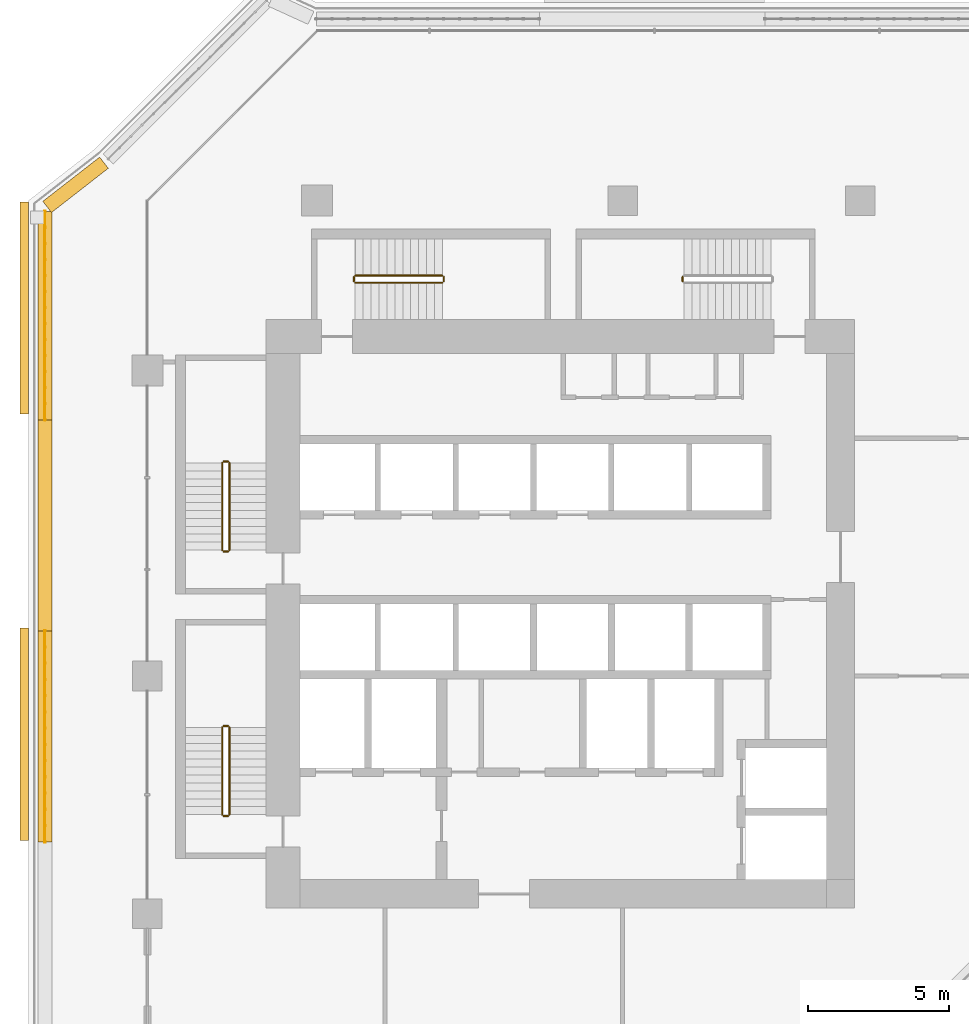
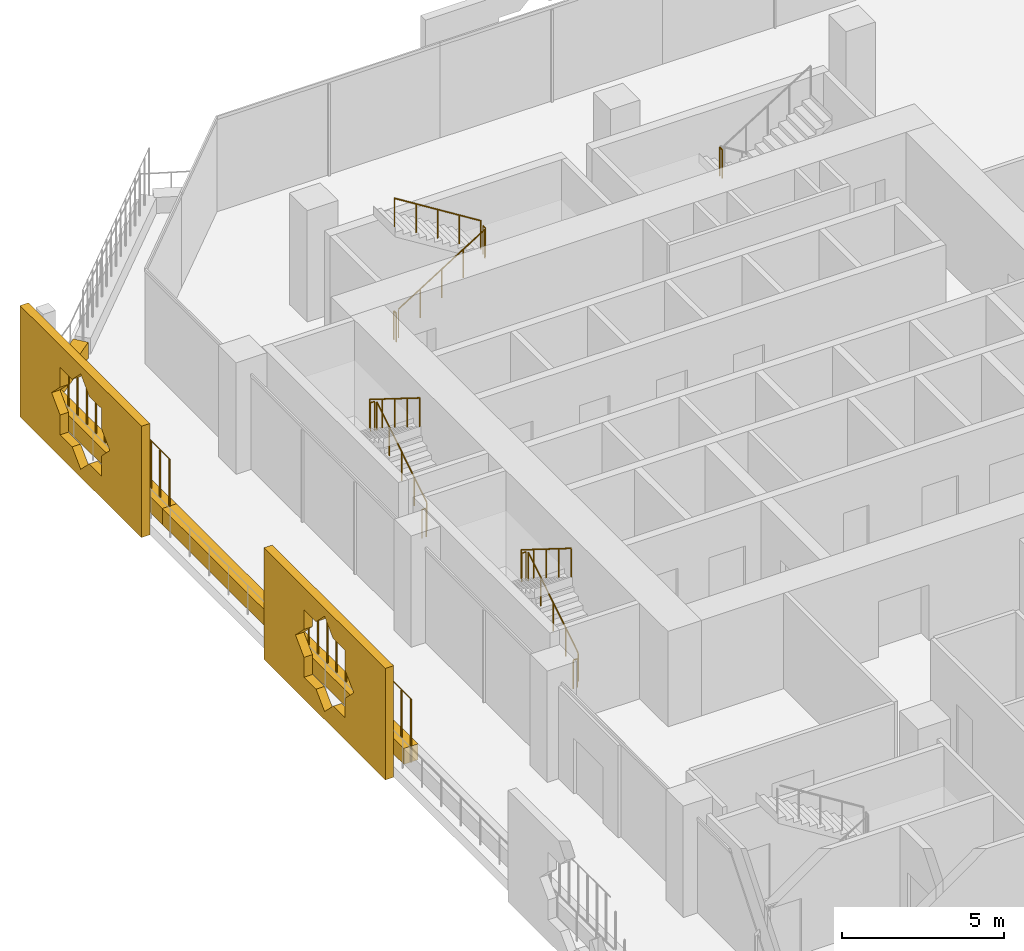
# One storey, part 21 of 25: 15 railings, 6 coverings.
"""IFC4 building model written with IfcOpenShell, lengths in metres."""

from ifc_helpers import new_model, si_unit, direction, frame, origin, origin_2d, place, context, subcontext, project, spatial, polyline, rectangle, circle, outline, extrude, material, material_profile, profile_set, type_object, element, save


model = new_model("IFC4")

# Units and contexts
model_context = context("Model", 3, precision=1e-05, world=origin(), true_north=direction((0.0, 1.0)))
body_context = subcontext(model_context, "Body", "Model", "MODEL_VIEW")
ifc_project = project(units=[si_unit("LENGTHUNIT", "METRE"), si_unit("AREAUNIT", "SQUARE_METRE"), si_unit("VOLUMEUNIT", "CUBIC_METRE"), si_unit("PLANEANGLEUNIT", "RADIAN"), si_unit("MASSUNIT", "GRAM", prefix="KILO")], contexts=[model_context])

# Site, building, storey
site_placement = place(None, origin())
site = spatial("IfcSite", under=ifc_project, at=site_placement, CompositionType="ELEMENT")
building_placement = place(site_placement, origin())
building = spatial("IfcBuilding", under=site, at=building_placement, Name="Kawkab Arch Medical Tower", CompositionType="ELEMENT")
storey_placement = place(building_placement, frame((0.0, 0.0, 128.199951171875)))
storey = spatial("IfcBuildingStorey", under=building, at=storey_placement, Name="L29", CompositionType="ELEMENT", Elevation=128.199951171875)

# Coverings
ifc_material_1 = material(Name="Bronze anodised aluminium mashrabiya panel, eight-point star pattern", Category="aluminium")
ifc_material_profile_1 = material_profile(ifc_material_1, outline(polyline([(-3.75, -2.10009765625), (3.75, -2.10009765625), (3.75, 2.10009765625), (-3.75, 2.10009765625), (-3.75, -2.10009765625)]), holes=[polyline([(1.800048828125, 0.0), (1.272705078125, 0.527099609375), (1.272705078125, 1.272705078125), (0.527099609375, 1.272705078125), (0.0, 1.800048828125), (-0.527099609375, 1.272705078125), (-1.272705078125, 1.272705078125), (-1.272705078125, 0.527099609375), (-1.800048828125, 0.0), (-1.272705078125, -0.527099609375), (-1.272705078125, -1.272705078125), (-0.527099609375, -1.272705078125), (0.0, -1.800048828125), (0.527099609375, -1.272705078125), (1.272705078125, -1.272705078125), (1.272705078125, -0.527099609375), (1.800048828125, 0.0)])]), Name="Mashrabiya panel 7500x4200")
ifc_profile_set_1 = profile_set([ifc_material_profile_1], Name="Bronze anodised aluminium mashrabiya panel, eight-point star pattern")
covering_type_1 = type_object("IfcCoveringType", Name="Mashrabiya panel 7500 x 4200", PredefinedType="USERDEFINED", material=ifc_profile_set_1)
for number, where, z_axis, x_axis, name in (
    (1, (-4.199951171875, -18.8583984375, 1.699951171875), (-1.0, 0.0, 0.0), (0.0, -1.0, 0.0), "Mashrabiya panel L29.LOG-01-01.4"),
    (2, (-4.199951171875, -3.795654296875, 1.699951171875), (-1.0, 0.0, 0.0), (0.0, -1.0, 0.0), "Mashrabiya panel L29.LOG-01-01.5"),
):
    element("IfcCovering", number, at=place(storey_placement, frame(where, z_axis=z_axis, x_axis=x_axis)), inside=storey, type_object=covering_type_1, Name=name, ObjectType="SCREEN", PredefinedType="USERDEFINED", context=body_context, shape_type="SweptSolid", body=[
        extrude(outline(polyline([(-3.75, -2.10009765625), (3.75, -2.10009765625), (3.75, 2.10009765625), (-3.75, 2.10009765625), (-3.75, -2.10009765625)]), holes=[polyline([(1.800048828125, 0.0), (1.272705078125, 0.527099609375), (1.272705078125, 1.272705078125), (0.527099609375, 1.272705078125), (0.0, 1.800048828125), (-0.527099609375, 1.272705078125), (-1.272705078125, 1.272705078125), (-1.272705078125, 0.527099609375), (-1.800048828125, 0.0), (-1.272705078125, -0.527099609375), (-1.272705078125, -1.272705078125), (-0.527099609375, -1.272705078125), (0.0, -1.800048828125), (0.527099609375, -1.272705078125), (1.272705078125, -1.272705078125), (1.272705078125, -0.527099609375), (1.800048828125, 0.0)])]), origin(), (0.0, 0.0, 1.0), 0.300048828125),
    ])
ifc_material_2 = material(Name="Planting soil in a precast trough", Category="concrete")
ifc_material_profile_2 = material_profile(ifc_material_2, rectangle(XDim=0.5, YDim=0.60009765625, at=origin_2d()), Name="Trough 500x600")
ifc_profile_set_2 = profile_set([ifc_material_profile_2], Name="Planting soil in a precast trough")
covering_type_2 = type_object("IfcCoveringType", Name="Planter trough 500 x 600", PredefinedType="USERDEFINED", material=ifc_profile_set_2)
for number, where, z_axis, x_axis, name in (
    (3, (-3.6201171875, -22.6689453125, 0.300048828125), (0.0, 1.0, 0.0), (-1.0, 0.0, 0.0), "Planter L29.LOG-01-01.11"),
    (4, (-3.6201171875, -15.20703125, 0.300048828125), (0.0, 1.0, 0.0), (-1.0, 0.0, 0.0), "Planter L29.LOG-01-01.12"),
):
    element("IfcCovering", number, at=place(storey_placement, frame(where, z_axis=z_axis, x_axis=x_axis)), inside=storey, type_object=covering_type_2, Name=name, ObjectType="PLANTER", PredefinedType="USERDEFINED", context=body_context, shape_type="SweptSolid", body=[
        extrude(rectangle(XDim=0.5, YDim=0.60009765625, at=origin_2d()), origin(), (0.0, 0.0, 1.0), 7.4619140625),
    ])
covering_1_placement = place(storey_placement, frame((-3.6201171875, -7.7451171875, 0.300048828125), z_axis=(0.0, 1.0, 0.0), x_axis=(-1.0, 0.0, 0.0)))
element("IfcCovering", 5, at=covering_1_placement, inside=storey, type_object=covering_type_2, Name="Planter L29.LOG-01-01.13", ObjectType="PLANTER", PredefinedType="USERDEFINED", context=body_context, shape_type="SweptSolid", body=[
    extrude(rectangle(XDim=0.5, YDim=0.60009765625, at=origin_2d()), origin(), (0.0, 0.0, 1.0), 7.361083984375),
])
covering_2_placement = place(storey_placement, frame((-3.541015625, -0.221923828125, 0.300048828125), z_axis=(0.789274742246, 0.61404021143, 0.0), x_axis=(-0.61404021143, 0.789274742246, 0.0)))
element("IfcCovering", 6, at=covering_2_placement, inside=storey, type_object=covering_type_2, Name="Planter L29.LOG-01-01.14", ObjectType="PLANTER", PredefinedType="USERDEFINED", context=body_context, shape_type="SweptSolid", body=[
    extrude(rectangle(XDim=0.5, YDim=0.60009765625, at=origin_2d()), origin(), (0.0, 0.0, 1.0), 2.54541015625),
])

# Railings
ifc_material_3 = material(Name="Bronze anodised aluminium trellis for climbing plants", Category="aluminium")
railing_type_1 = type_object("IfcRailingType", Name="Planting trellis 2400", PredefinedType="USERDEFINED", material=ifc_material_3)
railing_1_placement = place(storey_placement, frame((-3.6201171875, -22.6689453125, 0.0)))
element("IfcRailing", 7, at=railing_1_placement, inside=storey, type_object=railing_type_1, Name="Planting trellis L29.LOG-01-01.11", ObjectType="TRELLIS", PredefinedType="USERDEFINED", context=body_context, shape_type="SweptSolid", body=[
    extrude(circle(Radius=0.01513671875, at=origin_2d()), frame((0.0, 0.0, 2.384765625), z_axis=(0.0, 1.0, 0.0), x_axis=(-1.0, 0.0, 0.0)), (0.0, 0.0, 1.0), 7.4619140625),
    extrude(circle(Radius=0.030029296875, at=origin_2d()), origin(), (0.0, 0.0, 1.0), 2.369873046875),
    extrude(circle(Radius=0.030029296875, at=origin_2d()), frame((0.0, 0.573974609375, 0.0)), (0.0, 0.0, 1.0), 2.369873046875),
    extrude(circle(Radius=0.030029296875, at=origin_2d()), frame((0.0, 1.14794921875, 0.0)), (0.0, 0.0, 1.0), 2.369873046875),
    extrude(circle(Radius=0.030029296875, at=origin_2d()), frame((0.0, 1.721923828125, 0.0)), (0.0, 0.0, 1.0), 2.369873046875),
    extrude(circle(Radius=0.030029296875, at=origin_2d()), frame((0.0, 2.2958984375, 0.0)), (0.0, 0.0, 1.0), 2.369873046875),
    extrude(circle(Radius=0.030029296875, at=origin_2d()), frame((0.0, 2.869873046875, 0.0)), (0.0, 0.0, 1.0), 2.369873046875),
    extrude(circle(Radius=0.030029296875, at=origin_2d()), frame((0.0, 3.44384765625, 0.0)), (0.0, 0.0, 1.0), 2.369873046875),
    extrude(circle(Radius=0.030029296875, at=origin_2d()), frame((0.0, 4.01806640625, 0.0)), (0.0, 0.0, 1.0), 2.369873046875),
    extrude(circle(Radius=0.030029296875, at=origin_2d()), frame((0.0, 4.592041015625, 0.0)), (0.0, 0.0, 1.0), 2.369873046875),
    extrude(circle(Radius=0.030029296875, at=origin_2d()), frame((0.0, 5.166015625, 0.0)), (0.0, 0.0, 1.0), 2.369873046875),
    extrude(circle(Radius=0.030029296875, at=origin_2d()), frame((0.0, 5.739990234375, 0.0)), (0.0, 0.0, 1.0), 2.369873046875),
    extrude(circle(Radius=0.030029296875, at=origin_2d()), frame((0.0, 6.31396484375, 0.0)), (0.0, 0.0, 1.0), 2.369873046875),
    extrude(circle(Radius=0.030029296875, at=origin_2d()), frame((0.0, 6.887939453125, 0.0)), (0.0, 0.0, 1.0), 2.369873046875),
    extrude(circle(Radius=0.030029296875, at=origin_2d()), frame((0.0, 7.4619140625, 0.0)), (0.0, 0.0, 1.0), 2.369873046875),
])
railing_2_placement = place(storey_placement, frame((-3.6201171875, -7.7451171875, 0.0)))
element("IfcRailing", 8, at=railing_2_placement, inside=storey, type_object=railing_type_1, Name="Planting trellis L29.LOG-01-01.13", ObjectType="TRELLIS", PredefinedType="USERDEFINED", context=body_context, shape_type="SweptSolid", body=[
    extrude(circle(Radius=0.01513671875, at=origin_2d()), frame((0.0, 0.0, 2.384765625), z_axis=(0.0, 1.0, 0.0), x_axis=(-1.0, 0.0, 0.0)), (0.0, 0.0, 1.0), 7.361083984375),
    extrude(circle(Radius=0.030029296875, at=origin_2d()), origin(), (0.0, 0.0, 1.0), 2.369873046875),
    extrude(circle(Radius=0.030029296875, at=origin_2d()), frame((0.0, 0.566162109375, 0.0)), (0.0, 0.0, 1.0), 2.369873046875),
    extrude(circle(Radius=0.030029296875, at=origin_2d()), frame((0.0, 1.132568359375, 0.0)), (0.0, 0.0, 1.0), 2.369873046875),
    extrude(circle(Radius=0.030029296875, at=origin_2d()), frame((0.0, 1.69873046875, 0.0)), (0.0, 0.0, 1.0), 2.369873046875),
    extrude(circle(Radius=0.030029296875, at=origin_2d()), frame((0.0, 2.264892578125, 0.0)), (0.0, 0.0, 1.0), 2.369873046875),
    extrude(circle(Radius=0.030029296875, at=origin_2d()), frame((0.0, 2.831298828125, 0.0)), (0.0, 0.0, 1.0), 2.369873046875),
    extrude(circle(Radius=0.030029296875, at=origin_2d()), frame((0.0, 3.3974609375, 0.0)), (0.0, 0.0, 1.0), 2.369873046875),
    extrude(circle(Radius=0.030029296875, at=origin_2d()), frame((0.0, 3.963623046875, 0.0)), (0.0, 0.0, 1.0), 2.369873046875),
    extrude(circle(Radius=0.030029296875, at=origin_2d()), frame((0.0, 4.52978515625, 0.0)), (0.0, 0.0, 1.0), 2.369873046875),
    extrude(circle(Radius=0.030029296875, at=origin_2d()), frame((0.0, 5.09619140625, 0.0)), (0.0, 0.0, 1.0), 2.369873046875),
    extrude(circle(Radius=0.030029296875, at=origin_2d()), frame((0.0, 5.662353515625, 0.0)), (0.0, 0.0, 1.0), 2.369873046875),
    extrude(circle(Radius=0.030029296875, at=origin_2d()), frame((0.0, 6.228515625, 0.0)), (0.0, 0.0, 1.0), 2.369873046875),
    extrude(circle(Radius=0.030029296875, at=origin_2d()), frame((0.0, 6.794921875, 0.0)), (0.0, 0.0, 1.0), 2.369873046875),
    extrude(circle(Radius=0.030029296875, at=origin_2d()), frame((0.0, 7.361083984375, 0.0)), (0.0, 0.0, 1.0), 2.369873046875),
])
ifc_material_4 = material(Name="Stainless steel", Category="steel")
railing_type_2 = type_object("IfcRailingType", Name="Stair guard 1100", PredefinedType="GUARDRAIL", material=ifc_material_4)
railing_3_placement = place(storey_placement, frame((2.89990234375, -12.35009765625, 0.175048828125)))
element("IfcRailing", 9, at=railing_3_placement, inside=storey, type_object=railing_type_2, Name="L29 ST1 stair guard 1", PredefinedType="GUARDRAIL", context=body_context, shape_type="SweptSolid", body=[
    extrude(circle(Radius=0.02392578125, at=origin_2d()), frame((0.0, 0.0, 1.076171875), z_axis=(0.0, 0.847998304005, 0.529998940003), x_axis=(-1.0, 0.0, 0.0)), (0.0, 0.0, 1.0), 3.632080078125),
    extrude(circle(Radius=0.02099609375, at=origin_2d()), origin(), (0.0, 0.0, 1.0), 1.052001953125),
    extrude(circle(Radius=0.02099609375, at=origin_2d()), frame((0.0, 0.77001953125, 0.481201171875)), (0.0, 0.0, 1.0), 1.052001953125),
    extrude(circle(Radius=0.02099609375, at=origin_2d()), frame((0.0, 1.5400390625, 0.96240234375)), (0.0, 0.0, 1.0), 1.052001953125),
    extrude(circle(Radius=0.02099609375, at=origin_2d()), frame((0.0, 2.31005859375, 1.44384765625)), (0.0, 0.0, 1.0), 1.052001953125),
    extrude(circle(Radius=0.02099609375, at=origin_2d()), frame((0.0, 3.080078125, 1.925048828125)), (0.0, 0.0, 1.0), 1.052001953125),
])
railing_4_placement = place(storey_placement, frame((2.85009765625, -9.219970703125, 2.10009765625)))
element("IfcRailing", 10, at=railing_4_placement, inside=storey, type_object=railing_type_2, Name="L29 ST1 stair guard 2", PredefinedType="GUARDRAIL", context=body_context, shape_type="SweptSolid", body=[
    extrude(circle(Radius=0.02392578125, at=origin_2d()), frame((0.0, 0.0, 1.076171875), z_axis=(-1.0, 0.0, 0.0), x_axis=(0.0, -1.0, 0.0)), (0.0, 0.0, 1.0), 0.150146484375),
    extrude(circle(Radius=0.02099609375, at=origin_2d()), origin(), (0.0, 0.0, 1.0), 1.052001953125),
    extrude(circle(Radius=0.02099609375, at=origin_2d()), frame((-0.150146484375, 0.0, 0.0)), (0.0, 0.0, 1.0), 1.052001953125),
])
railing_5_placement = place(storey_placement, frame((2.64990234375, -9.27001953125, 2.275146484375)))
element("IfcRailing", 11, at=railing_5_placement, inside=storey, type_object=railing_type_2, Name="L29 ST1 stair guard 3", PredefinedType="GUARDRAIL", context=body_context, shape_type="SweptSolid", body=[
    extrude(circle(Radius=0.02392578125, at=origin_2d()), frame((0.0, 0.0, 1.076171875), z_axis=(0.0, -0.848028513186, 0.529950602248), x_axis=(1.0, 0.0, 0.0)), (0.0, 0.0, 1.0), 3.632080078125),
    extrude(circle(Radius=0.02099609375, at=origin_2d()), origin(), (0.0, 0.0, 1.0), 1.052001953125),
    extrude(circle(Radius=0.02099609375, at=origin_2d()), frame((0.0, -0.77001953125, 0.481201171875)), (0.0, 0.0, 1.0), 1.052001953125),
    extrude(circle(Radius=0.02099609375, at=origin_2d()), frame((0.0, -1.5400390625, 0.96240234375)), (0.0, 0.0, 1.0), 1.052001953125),
    extrude(circle(Radius=0.02099609375, at=origin_2d()), frame((0.0, -2.31005859375, 1.443603515625)), (0.0, 0.0, 1.0), 1.052001953125),
    extrude(circle(Radius=0.02099609375, at=origin_2d()), frame((0.0, -3.080078125, 1.9248046875)), (0.0, 0.0, 1.0), 1.052001953125),
])
railing_6_placement = place(storey_placement, frame((2.85009765625, -12.39990234375, 0.0)))
element("IfcRailing", 12, at=railing_6_placement, inside=storey, type_object=railing_type_2, Name="L29 ST1 stair guard 4", PredefinedType="GUARDRAIL", context=body_context, shape_type="SweptSolid", body=[
    extrude(circle(Radius=0.02392578125, at=origin_2d()), frame((0.0, 0.0, 1.076171875), z_axis=(-1.0, 0.0, 0.0), x_axis=(0.0, -1.0, 0.0)), (0.0, 0.0, 1.0), 0.150146484375),
    extrude(circle(Radius=0.02099609375, at=origin_2d()), origin(), (0.0, 0.0, 1.0), 1.052001953125),
    extrude(circle(Radius=0.02099609375, at=origin_2d()), frame((-0.150146484375, 0.0, 0.0)), (0.0, 0.0, 1.0), 1.052001953125),
])
railing_7_placement = place(storey_placement, frame((2.89990234375, -21.699951171875, 0.175048828125)))
element("IfcRailing", 13, at=railing_7_placement, inside=storey, type_object=railing_type_2, Name="L29 ST2 stair guard 1", PredefinedType="GUARDRAIL", context=body_context, shape_type="SweptSolid", body=[
    extrude(circle(Radius=0.02392578125, at=origin_2d()), frame((0.0, 0.0, 1.076171875), z_axis=(0.0, 0.847979421464, 0.530029150871), x_axis=(-1.0, 0.0, 0.0)), (0.0, 0.0, 1.0), 3.632080078125),
    extrude(circle(Radius=0.02099609375, at=origin_2d()), origin(), (0.0, 0.0, 1.0), 1.052001953125),
    extrude(circle(Radius=0.02099609375, at=origin_2d()), frame((0.0, 0.77001953125, 0.481201171875)), (0.0, 0.0, 1.0), 1.052001953125),
    extrude(circle(Radius=0.02099609375, at=origin_2d()), frame((0.0, 1.5400390625, 0.96240234375)), (0.0, 0.0, 1.0), 1.052001953125),
    extrude(circle(Radius=0.02099609375, at=origin_2d()), frame((0.0, 2.309814453125, 1.44384765625)), (0.0, 0.0, 1.0), 1.052001953125),
    extrude(circle(Radius=0.02099609375, at=origin_2d()), frame((0.0, 3.079833984375, 1.925048828125)), (0.0, 0.0, 1.0), 1.052001953125),
])
railing_8_placement = place(storey_placement, frame((2.85009765625, -18.570068359375, 2.10009765625)))
element("IfcRailing", 14, at=railing_8_placement, inside=storey, type_object=railing_type_2, Name="L29 ST2 stair guard 2", PredefinedType="GUARDRAIL", context=body_context, shape_type="SweptSolid", body=[
    extrude(circle(Radius=0.02392578125, at=origin_2d()), frame((0.0, 0.0, 1.076171875), z_axis=(-1.0, 0.0, 0.0), x_axis=(0.0, -1.0, 0.0)), (0.0, 0.0, 1.0), 0.150146484375),
    extrude(circle(Radius=0.02099609375, at=origin_2d()), origin(), (0.0, 0.0, 1.0), 1.052001953125),
    extrude(circle(Radius=0.02099609375, at=origin_2d()), frame((-0.150146484375, 0.0, 0.0)), (0.0, 0.0, 1.0), 1.052001953125),
])
railing_9_placement = place(storey_placement, frame((2.64990234375, -18.6201171875, 2.275146484375)))
element("IfcRailing", 15, at=railing_9_placement, inside=storey, type_object=railing_type_2, Name="L29 ST2 stair guard 3", PredefinedType="GUARDRAIL", context=body_context, shape_type="SweptSolid", body=[
    extrude(circle(Radius=0.02392578125, at=origin_2d()), frame((0.0, 0.0, 1.076171875), z_axis=(0.0, -0.848009633417, 0.529980812513), x_axis=(1.0, 0.0, 0.0)), (0.0, 0.0, 1.0), 3.6318359375),
    extrude(circle(Radius=0.02099609375, at=origin_2d()), origin(), (0.0, 0.0, 1.0), 1.052001953125),
    extrude(circle(Radius=0.02099609375, at=origin_2d()), frame((0.0, -0.77001953125, 0.481201171875)), (0.0, 0.0, 1.0), 1.052001953125),
    extrude(circle(Radius=0.02099609375, at=origin_2d()), frame((0.0, -1.5400390625, 0.96240234375)), (0.0, 0.0, 1.0), 1.052001953125),
    extrude(circle(Radius=0.02099609375, at=origin_2d()), frame((0.0, -2.309814453125, 1.443603515625)), (0.0, 0.0, 1.0), 1.052001953125),
    extrude(circle(Radius=0.02099609375, at=origin_2d()), frame((0.0, -3.079833984375, 1.9248046875)), (0.0, 0.0, 1.0), 1.052001953125),
])
railing_10_placement = place(storey_placement, frame((2.85009765625, -21.75, 0.0)))
element("IfcRailing", 16, at=railing_10_placement, inside=storey, type_object=railing_type_2, Name="L29 ST2 stair guard 4", PredefinedType="GUARDRAIL", context=body_context, shape_type="SweptSolid", body=[
    extrude(circle(Radius=0.02392578125, at=origin_2d()), frame((0.0, 0.0, 1.076171875), z_axis=(-1.0, 0.0, 0.0), x_axis=(0.0, -1.0, 0.0)), (0.0, 0.0, 1.0), 0.150146484375),
    extrude(circle(Radius=0.02099609375, at=origin_2d()), origin(), (0.0, 0.0, 1.0), 1.052001953125),
    extrude(circle(Radius=0.02099609375, at=origin_2d()), frame((-0.150146484375, 0.0, 0.0)), (0.0, 0.0, 1.0), 1.052001953125),
])
railing_11_placement = place(storey_placement, frame((7.35009765625, -2.89990234375, 0.175048828125)))
element("IfcRailing", 17, at=railing_11_placement, inside=storey, type_object=railing_type_2, Name="L29 ST3 stair guard 1", PredefinedType="GUARDRAIL", context=body_context, shape_type="SweptSolid", body=[
    extrude(circle(Radius=0.02392578125, at=origin_2d()), frame((0.0, 0.0, 1.076171875), z_axis=(0.847979421464, 0.0, 0.530029150871), x_axis=(0.0, 1.0, 0.0)), (0.0, 0.0, 1.0), 3.632080078125),
    extrude(circle(Radius=0.02099609375, at=origin_2d()), origin(), (0.0, 0.0, 1.0), 1.052001953125),
    extrude(circle(Radius=0.02099609375, at=origin_2d()), frame((0.77001953125, 0.0, 0.481201171875)), (0.0, 0.0, 1.0), 1.052001953125),
    extrude(circle(Radius=0.02099609375, at=origin_2d()), frame((1.5400390625, 0.0, 0.96240234375)), (0.0, 0.0, 1.0), 1.052001953125),
    extrude(circle(Radius=0.02099609375, at=origin_2d()), frame((2.309814453125, 0.0, 1.44384765625)), (0.0, 0.0, 1.0), 1.052001953125),
    extrude(circle(Radius=0.02099609375, at=origin_2d()), frame((3.079833984375, 0.0, 1.925048828125)), (0.0, 0.0, 1.0), 1.052001953125),
])
railing_12_placement = place(storey_placement, frame((10.47998046875, -2.85009765625, 2.10009765625)))
element("IfcRailing", 18, at=railing_12_placement, inside=storey, type_object=railing_type_2, Name="L29 ST3 stair guard 2", PredefinedType="GUARDRAIL", context=body_context, shape_type="SweptSolid", body=[
    extrude(circle(Radius=0.02392578125, at=origin_2d()), frame((0.0, 0.0, 1.076171875), z_axis=(0.0, 1.0, 0.0), x_axis=(-1.0, 0.0, 0.0)), (0.0, 0.0, 1.0), 0.150146484375),
    extrude(circle(Radius=0.02099609375, at=origin_2d()), origin(), (0.0, 0.0, 1.0), 1.052001953125),
    extrude(circle(Radius=0.02099609375, at=origin_2d()), frame((0.0, 0.150146484375, 0.0)), (0.0, 0.0, 1.0), 1.052001953125),
])
railing_13_placement = place(storey_placement, frame((10.429931640625, -2.64990234375, 2.275146484375)))
element("IfcRailing", 19, at=railing_13_placement, inside=storey, type_object=railing_type_2, Name="L29 ST3 stair guard 3", PredefinedType="GUARDRAIL", context=body_context, shape_type="SweptSolid", body=[
    extrude(circle(Radius=0.02392578125, at=origin_2d()), frame((0.0, 0.0, 1.076171875), z_axis=(-0.848009633417, 0.0, 0.529980812513), x_axis=(0.0, -1.0, 0.0)), (0.0, 0.0, 1.0), 3.6318359375),
    extrude(circle(Radius=0.02099609375, at=origin_2d()), origin(), (0.0, 0.0, 1.0), 1.052001953125),
    extrude(circle(Radius=0.02099609375, at=origin_2d()), frame((-0.77001953125, 0.0, 0.481201171875)), (0.0, 0.0, 1.0), 1.052001953125),
    extrude(circle(Radius=0.02099609375, at=origin_2d()), frame((-1.5400390625, 0.0, 0.96240234375)), (0.0, 0.0, 1.0), 1.052001953125),
    extrude(circle(Radius=0.02099609375, at=origin_2d()), frame((-2.309814453125, 0.0, 1.443603515625)), (0.0, 0.0, 1.0), 1.052001953125),
    extrude(circle(Radius=0.02099609375, at=origin_2d()), frame((-3.079833984375, 0.0, 1.9248046875)), (0.0, 0.0, 1.0), 1.052001953125),
])
railing_14_placement = place(storey_placement, frame((7.300048828125, -2.85009765625, 0.0)))
element("IfcRailing", 20, at=railing_14_placement, inside=storey, type_object=railing_type_2, Name="L29 ST3 stair guard 4", PredefinedType="GUARDRAIL", context=body_context, shape_type="SweptSolid", body=[
    extrude(circle(Radius=0.02392578125, at=origin_2d()), frame((0.0, 0.0, 1.076171875), z_axis=(0.0, 1.0, 0.0), x_axis=(-1.0, 0.0, 0.0)), (0.0, 0.0, 1.0), 0.150146484375),
    extrude(circle(Radius=0.02099609375, at=origin_2d()), origin(), (0.0, 0.0, 1.0), 1.052001953125),
    extrude(circle(Radius=0.02099609375, at=origin_2d()), frame((0.0, 0.150146484375, 0.0)), (0.0, 0.0, 1.0), 1.052001953125),
])
railing_15_placement = place(storey_placement, frame((18.919921875, -2.699951171875, 2.10009765625)))
element("IfcRailing", 21, at=railing_15_placement, inside=storey, type_object=railing_type_2, Name="L29 ST4 stair guard 2", PredefinedType="GUARDRAIL", context=body_context, shape_type="SweptSolid", body=[
    extrude(circle(Radius=0.02392578125, at=origin_2d()), frame((0.0, 0.0, 1.076171875), z_axis=(0.0, -1.0, 0.0), x_axis=(1.0, 0.0, 0.0)), (0.0, 0.0, 1.0), 0.150146484375),
    extrude(circle(Radius=0.02099609375, at=origin_2d()), origin(), (0.0, 0.0, 1.0), 1.052001953125),
    extrude(circle(Radius=0.02099609375, at=origin_2d()), frame((0.0, -0.150146484375, 0.0)), (0.0, 0.0, 1.0), 1.052001953125),
])

save(model, "model.ifc")
